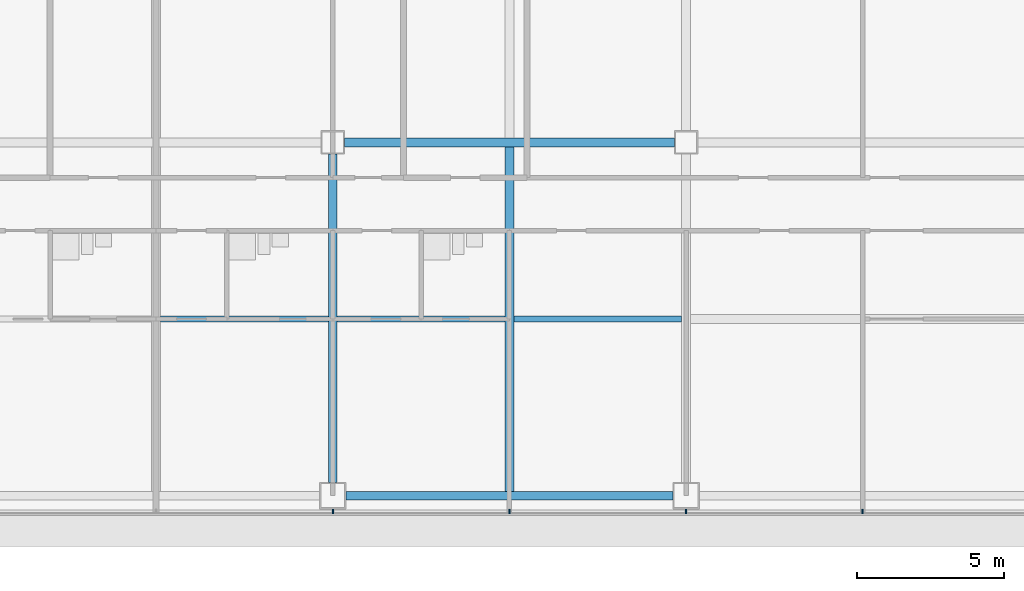
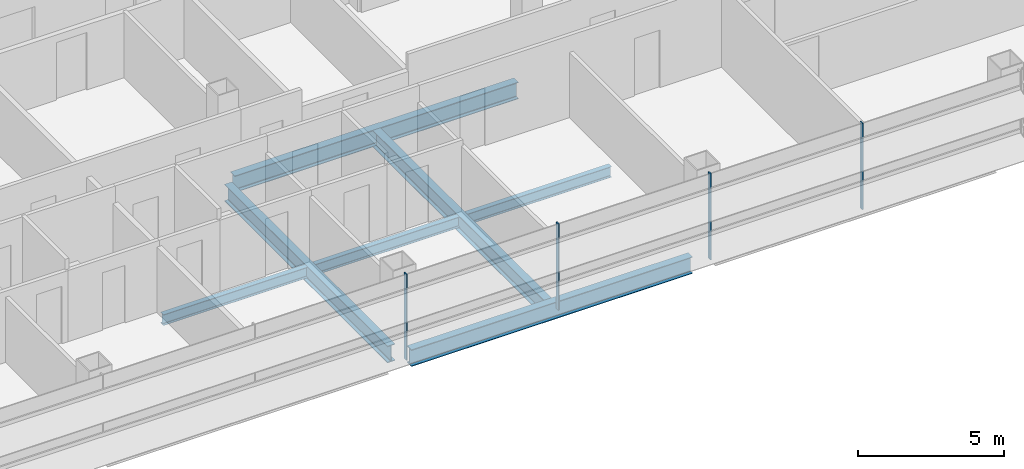
# One storey, part 8 of 26: 7 beams, 4 members, 1 element without a shape of its own.
"""IFC4 building model written with IfcOpenShell, lengths in metres."""

from ifc_helpers import new_model, si_unit, direction, frame, origin, origin_2d, place, context, subcontext, project, spatial, rectangle, i_section, extrude, material, material_profile, profile_set, type_object, element, aggregate, save


model = new_model("IFC4")

# Units and contexts
model_context = context("Model", 3, precision=1e-05, world=origin(), true_north=direction((0.0, 1.0)))
body_context = subcontext(model_context, "Body", "Model", "MODEL_VIEW")
ifc_project = project(units=[si_unit("LENGTHUNIT", "METRE"), si_unit("AREAUNIT", "SQUARE_METRE"), si_unit("VOLUMEUNIT", "CUBIC_METRE"), si_unit("PLANEANGLEUNIT", "RADIAN"), si_unit("MASSUNIT", "GRAM", prefix="KILO")], contexts=[model_context])

# Site, building, storey
site_placement = place(None, origin())
site = spatial("IfcSite", under=ifc_project, at=site_placement, CompositionType="ELEMENT")
building_placement = place(site_placement, origin())
building = spatial("IfcBuilding", under=site, at=building_placement, Name="Sorahane Residences", CompositionType="ELEMENT")
storey_placement = place(building_placement, frame((0.0, 0.0, 71.39990234375)))
storey = spatial("IfcBuildingStorey", under=building, at=storey_placement, Name="L14", CompositionType="ELEMENT", Elevation=71.39990234375)

# Curtain wall, members
ifc_material_1 = material(Name="Dark low-e glass and black anodised aluminium", Category="aluminium")
curtain_wall_type = type_object("IfcCurtainWallType", Name="Curtain wall CW-1 Typical unitised wall", PredefinedType="NOTDEFINED", material=ifc_material_1)
curtain_wall_placement = place(storey_placement, origin())
curtain_wall = element("IfcCurtainWall", 1, at=curtain_wall_placement, inside=storey, type_object=curtain_wall_type, Name="CW-1 curtain wall L14 S1", PredefinedType="NOTDEFINED")
ifc_material_2 = material(Name="Black anodised aluminium", Category="aluminium")
ifc_material_profile_1 = material_profile(ifc_material_2, rectangle(XDim=0.159912109375, YDim=0.050048828125, at=origin_2d()), Name="Curtain wall mullion CW-1 black anodised aluminium 50x160")
ifc_profile_set_1 = profile_set([ifc_material_profile_1], Name="Black anodised aluminium")
member_type = type_object("IfcMemberType", Name="Curtain wall mullion CW-1 black anodised aluminium 50x160", PredefinedType="MULLION", material=ifc_profile_set_1)
member_1_placement = place(storey_placement, frame((36.0, -0.5400390625, -0.179931640625), z_axis=(0.0, 0.0, 1.0), x_axis=(0.0, -1.0, 0.0)))
member_1 = element("IfcMember", 2, at=member_1_placement, type_object=member_type, Name="CW-1 mullion L14 S1.6", PredefinedType="MULLION", context=body_context, shape_type="SweptSolid", body=[
    extrude(rectangle(XDim=0.159912109375, YDim=0.050048828125, at=origin_2d()), origin(), (0.0, 0.0, 1.0), 3.60009765625),
])
member_2_placement = place(storey_placement, frame((42.0, -0.5400390625, -0.179931640625), z_axis=(0.0, 0.0, 1.0), x_axis=(0.0, -1.0, 0.0)))
member_2 = element("IfcMember", 3, at=member_2_placement, type_object=member_type, Name="CW-1 mullion L14 S1.7", PredefinedType="MULLION", context=body_context, shape_type="SweptSolid", body=[
    extrude(rectangle(XDim=0.159912109375, YDim=0.050048828125, at=origin_2d()), origin(), (0.0, 0.0, 1.0), 3.60009765625),
])
member_3_placement = place(storey_placement, frame((48.0, -0.5400390625, -0.179931640625), z_axis=(0.0, 0.0, 1.0), x_axis=(0.0, -1.0, 0.0)))
member_3 = element("IfcMember", 4, at=member_3_placement, type_object=member_type, Name="CW-1 mullion L14 S1.8", PredefinedType="MULLION", context=body_context, shape_type="SweptSolid", body=[
    extrude(rectangle(XDim=0.159912109375, YDim=0.050048828125, at=origin_2d()), origin(), (0.0, 0.0, 1.0), 3.60009765625),
])
member_4_placement = place(storey_placement, frame((54.0, -0.5400390625, -0.179931640625), z_axis=(0.0, 0.0, 1.0), x_axis=(0.0, -1.0, 0.0)))
member_4 = element("IfcMember", 5, at=member_4_placement, type_object=member_type, Name="CW-1 mullion L14 S1.9", PredefinedType="MULLION", context=body_context, shape_type="SweptSolid", body=[
    extrude(rectangle(XDim=0.159912109375, YDim=0.050048828125, at=origin_2d()), origin(), (0.0, 0.0, 1.0), 3.60009765625),
])
aggregate(curtain_wall, [member_1, member_2, member_3, member_4])

# Beams
ifc_material_3 = material(Name="Steel Q355B", Category="steel")
ifc_material_profile_2 = material_profile(ifc_material_3, i_section(OverallWidth=0.199951171875, OverallDepth=0.449951171875, WebThickness=0.009033203125, FlangeThickness=0.013916015625, FilletRadius=0.02001953125, at=origin_2d()), Name="HN 450x200x9x14")
ifc_profile_set_2 = profile_set([ifc_material_profile_2], Name="Steel Q355B")
beam_type_1 = type_object("IfcBeamType", Name="Steel floor beam HN 450x200x9x14 Q355B", PredefinedType="BEAM", material=ifc_profile_set_2)
for number, where, z_axis, x_axis, name in (
    (6, (30.14990234375, 6.0, -0.40478515625), (1.0, 0.0, 0.0), (0.0, 1.0, 0.0), "Beam L14 066"),
    (7, (36.14990234375, 6.0, -0.40478515625), (1.0, 0.0, 0.0), (0.0, 1.0, 0.0), "Beam L14 067"),
    (8, (42.14990234375, 6.0, -0.40478515625), (1.0, 0.0, 0.0), (0.0, 1.0, 0.0), "Beam L14 068"),
):
    element("IfcBeam", number, at=place(storey_placement, frame(where, z_axis=z_axis, x_axis=x_axis)), inside=storey, type_object=beam_type_1, Name=name, PredefinedType="BEAM", context=body_context, shape_type="SweptSolid", body=[
        extrude(i_section(OverallWidth=0.199951171875, OverallDepth=0.449951171875, WebThickness=0.009033203125, FlangeThickness=0.013916015625, FilletRadius=0.02001953125, at=origin_2d()), origin(), (0.0, 0.0, 1.0), 5.7001953125),
    ])
ifc_material_4 = material(Name="Steel Q355B", Category="steel")
ifc_material_profile_3 = material_profile(ifc_material_4, i_section(OverallWidth=0.300048828125, OverallDepth=0.699951171875, WebThickness=0.012939453125, FlangeThickness=0.02392578125, FilletRadius=0.028076171875, at=origin_2d()), Name="HN 700x300x13x24")
ifc_profile_set_3 = profile_set([ifc_material_profile_3], Name="Steel Q355B")
beam_type_2 = type_object("IfcBeamType", Name="Steel floor beam HN 700x300x13x24 Q355B", PredefinedType="BEAM", material=ifc_profile_set_3)
beam_1_placement = place(storey_placement, frame((36.449951171875, 0.0, -0.52978515625), z_axis=(1.0, 0.0, 0.0), x_axis=(0.0, 1.0, 0.0)))
element("IfcBeam", 9, at=beam_1_placement, inside=storey, type_object=beam_type_2, Name="Beam L14 003", PredefinedType="BEAM", context=body_context, shape_type="SweptSolid", body=[
    extrude(i_section(OverallWidth=0.300048828125, OverallDepth=0.699951171875, WebThickness=0.012939453125, FlangeThickness=0.02392578125, FilletRadius=0.028076171875, at=origin_2d()), origin(), (0.0, 0.0, 1.0), 11.10009765625),
])
beam_2_placement = place(storey_placement, frame((36.39990234375, 12.0, -0.52978515625), z_axis=(1.0, 0.0, 0.0), x_axis=(0.0, 1.0, 0.0)))
element("IfcBeam", 10, at=beam_2_placement, inside=storey, type_object=beam_type_2, Name="Beam L14 008", PredefinedType="BEAM", context=body_context, shape_type="SweptSolid", body=[
    extrude(i_section(OverallWidth=0.300048828125, OverallDepth=0.699951171875, WebThickness=0.012939453125, FlangeThickness=0.02392578125, FilletRadius=0.028076171875, at=origin_2d()), origin(), (0.0, 0.0, 1.0), 11.2001953125),
])
beam_3_placement = place(storey_placement, frame((36.0, 0.449951171875, -0.52978515625), z_axis=(0.0, 1.0, 0.0), x_axis=(-1.0, 0.0, 0.0)))
element("IfcBeam", 11, at=beam_3_placement, inside=storey, type_object=beam_type_2, Name="Beam L14 043", PredefinedType="BEAM", context=body_context, shape_type="SweptSolid", body=[
    extrude(i_section(OverallWidth=0.300048828125, OverallDepth=0.699951171875, WebThickness=0.012939453125, FlangeThickness=0.02392578125, FilletRadius=0.028076171875, at=origin_2d()), origin(), (0.0, 0.0, 1.0), 11.150146484375),
])
beam_4_placement = place(storey_placement, frame((42.0, 0.14990234375, -0.52978515625), z_axis=(0.0, 1.0, 0.0), x_axis=(-1.0, 0.0, 0.0)))
element("IfcBeam", 12, at=beam_4_placement, inside=storey, type_object=beam_type_2, Name="Beam L14 045", PredefinedType="BEAM", context=body_context, shape_type="SweptSolid", body=[
    extrude(i_section(OverallWidth=0.300048828125, OverallDepth=0.699951171875, WebThickness=0.012939453125, FlangeThickness=0.02392578125, FilletRadius=0.028076171875, at=origin_2d()), origin(), (0.0, 0.0, 1.0), 11.7001953125),
])

save(model, "model.ifc")
